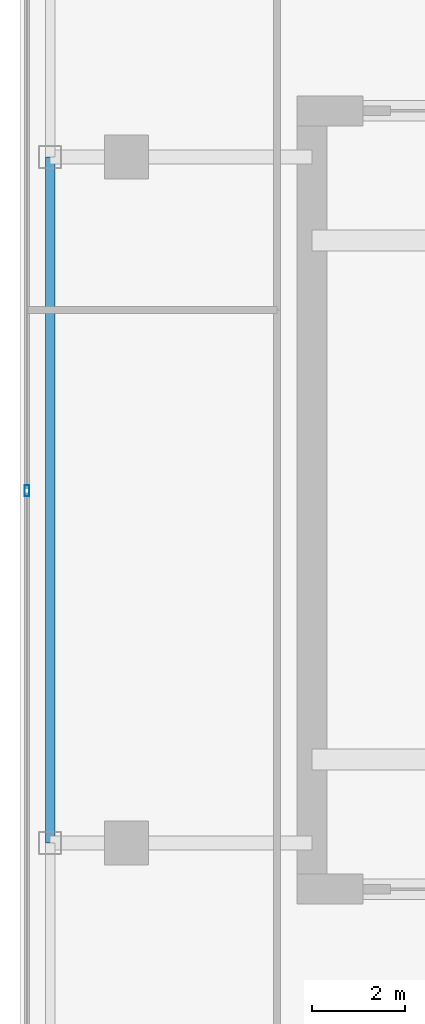
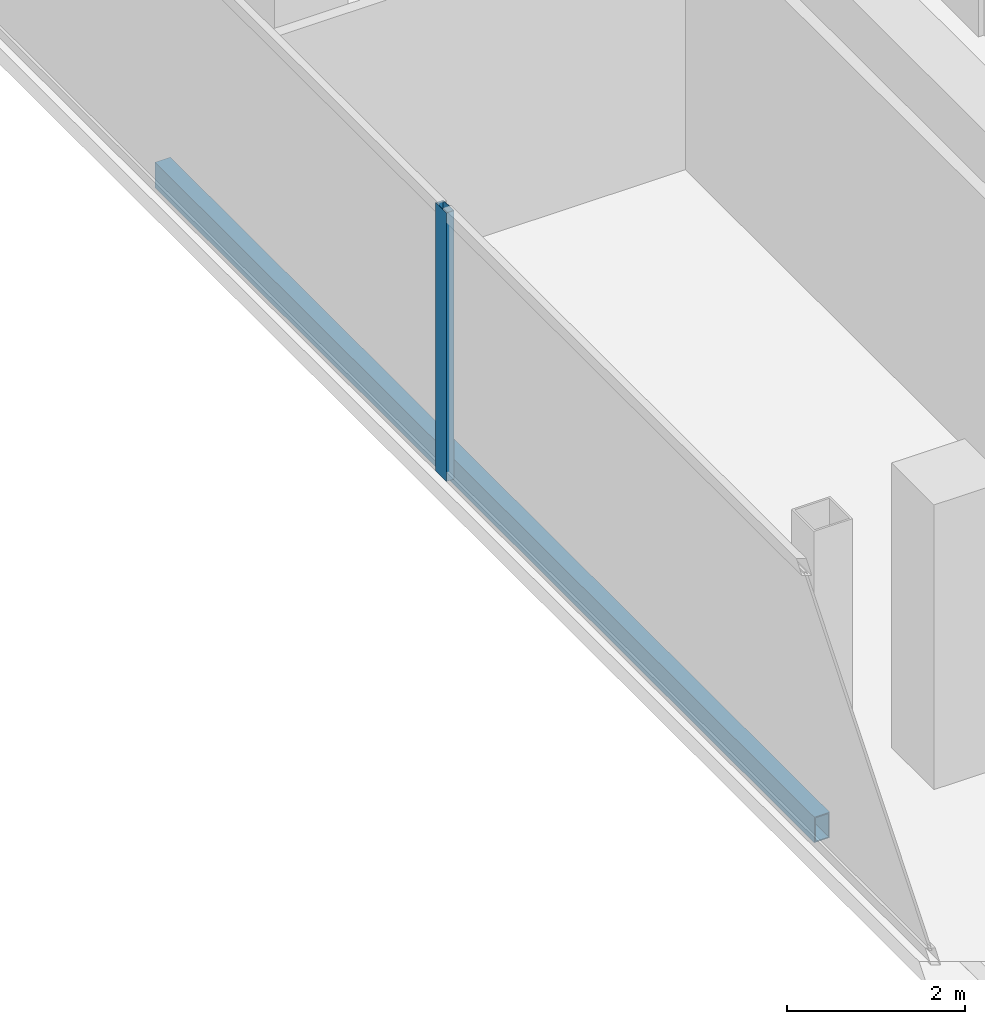
# One storey, part 5 of 23: 1 beam, 1 member, 1 element without a shape of its own.
"""IFC4 building model written with IfcOpenShell, lengths in metres."""

from ifc_helpers import new_model, si_unit, direction, frame, origin, origin_2d, place, context, subcontext, project, spatial, hollow_rectangle, extrude, material, layer, layer_set, material_profile, profile_set, type_object, element, aggregate, save


model = new_model("IFC4")

# Units and contexts
model_context = context("Model", 3, precision=1e-05, world=origin(), true_north=direction((0.0, 1.0)))
body_context = subcontext(model_context, "Body", "Model", "MODEL_VIEW")
ifc_project = project(units=[si_unit("LENGTHUNIT", "METRE"), si_unit("AREAUNIT", "SQUARE_METRE"), si_unit("VOLUMEUNIT", "CUBIC_METRE"), si_unit("PLANEANGLEUNIT", "RADIAN"), si_unit("MASSUNIT", "GRAM", prefix="KILO")], contexts=[model_context])

# Site, building, storey
site_placement = place(None, origin())
site = spatial("IfcSite", under=ifc_project, at=site_placement, CompositionType="ELEMENT")
building_placement = place(site_placement, origin())
building = spatial("IfcBuilding", under=site, at=building_placement, Name="Khorvyn Point Tower", CompositionType="ELEMENT")
storey_placement = place(building_placement, frame((0.0, 0.0, 274.199951171875)))
storey = spatial("IfcBuildingStorey", under=building, at=storey_placement, Name="L67", CompositionType="ELEMENT", Elevation=274.199951171875)

# Curtain wall, member
ifc_material_1 = material(Name="Anodised aluminium 6063-T6 and laminated Low-E glass", Category="aluminium")
ifc_layer = layer(ifc_material_1, 0.18994140625)
ifc_layer_set = layer_set([ifc_layer], Name="Stick-Built High-Wind Curtain Wall CW-SYS-04")
curtain_wall_type = type_object("IfcCurtainWallType", Name="Stick-Built High-Wind Curtain Wall CW-SYS-04", PredefinedType="NOTDEFINED", material=ifc_layer_set)
curtain_wall_placement = place(storey_placement, origin())
curtain_wall = element("IfcCurtainWall", 1, at=curtain_wall_placement, inside=storey, type_object=curtain_wall_type, Name="Curtain Wall", PredefinedType="NOTDEFINED")
ifc_material_2 = material(Name="Anodised aluminium 6063-T6", Category="aluminium")
ifc_material_profile_1 = material_profile(ifc_material_2, hollow_rectangle(XDim=0.10009765625, YDim=0.239990234375, WallThickness=0.0048828125, at=origin_2d()))
ifc_profile_set_1 = profile_set([ifc_material_profile_1], Name="Anodised aluminium 6063-T6 ALU-MUL-100x240")
member_type = type_object("IfcMemberType", Name="Anodised Aluminium 6063-T6 Mullion ALU-MUL-100x240", PredefinedType="MULLION", material=ifc_profile_set_1)
member_placement = place(storey_placement, frame((-16.949951171875, 0.199951171875, 0.0), z_axis=(0.0, 0.0, 1.0), x_axis=(-1.0, 0.0, 0.0)))
member = element("IfcMember", 2, at=member_placement, type_object=member_type, Name="Transom", PredefinedType="MULLION", context=body_context, shape_type="SweptSolid", body=[
    extrude(hollow_rectangle(XDim=0.10009765625, YDim=0.239990234375, WallThickness=0.0048828125, at=origin_2d()), origin(), (0.0, 0.0, 1.0), 3.679931640625),
])
aggregate(curtain_wall, [member])

# Beam
ifc_material_3 = material(Name="Steel S355", Category="steel")
ifc_material_profile_2 = material_profile(ifc_material_3, hollow_rectangle(XDim=0.199951171875, YDim=0.35009765625, WallThickness=0.013916015625, at=origin_2d()))
ifc_profile_set_2 = profile_set([ifc_material_profile_2], Name="Steel S355 RHS350x200x14")
beam_type = type_object("IfcBeamType", Name="Steel S355 Spandrel RHS350x200x14", PredefinedType="SPANDREL", material=ifc_profile_set_2)
beam_placement = place(storey_placement, frame((-16.449951171875, -7.39990234375, -0.39501953125), z_axis=(0.0, 1.0, 0.0), x_axis=(-1.0, 0.0, 0.0)))
element("IfcBeam", 3, at=beam_placement, inside=storey, type_object=beam_type, Name="Beam", PredefinedType="SPANDREL", context=body_context, shape_type="SweptSolid", body=[
    extrude(hollow_rectangle(XDim=0.199951171875, YDim=0.35009765625, WallThickness=0.013916015625, at=origin_2d()), origin(), (0.0, 0.0, 1.0), 14.7998046875),
])

save(model, "model.ifc")
